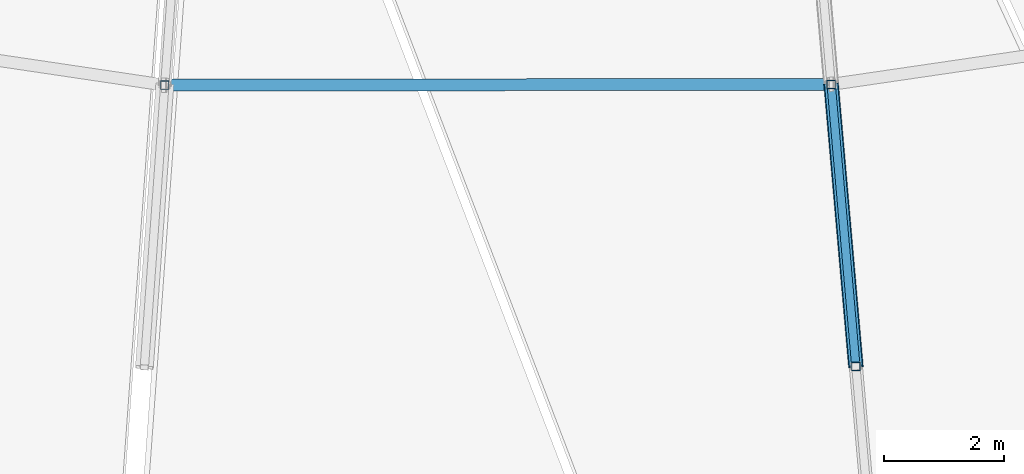
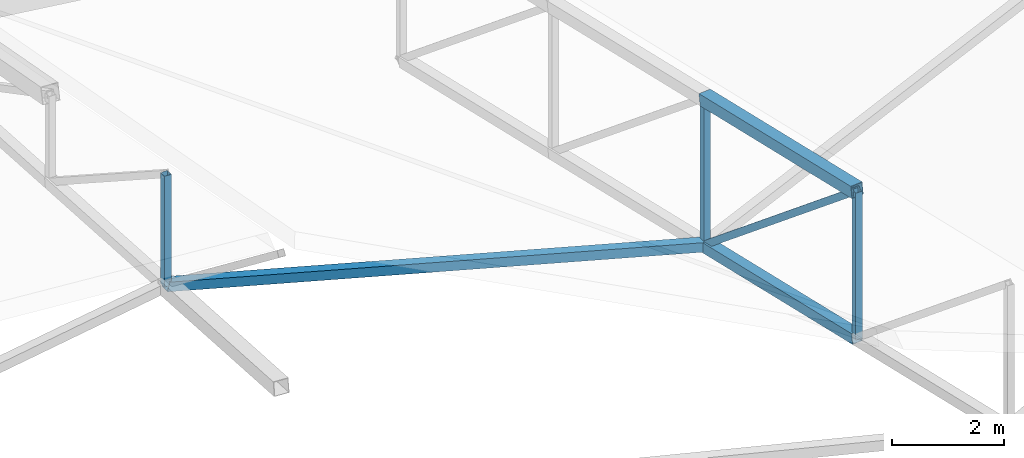
# One storey, part 39 of 344: 7 members.
"""IFC4 building model written with IfcOpenShell, lengths in metres."""

from ifc_helpers import new_model, si_unit, direction, frame, origin, origin_2d, place, context, subcontext, project, spatial, hollow_rectangle, extrude, material, material_profile, profile_set, type_object, element, save


model = new_model("IFC4")

# Units and contexts
model_context = context("Model", 3, precision=1e-05, world=origin(), true_north=direction((0.0, 1.0)))
body_context = subcontext(model_context, "Body", "Model", "MODEL_VIEW")
ifc_project = project(units=[si_unit("LENGTHUNIT", "METRE"), si_unit("AREAUNIT", "SQUARE_METRE"), si_unit("VOLUMEUNIT", "CUBIC_METRE"), si_unit("PLANEANGLEUNIT", "RADIAN"), si_unit("MASSUNIT", "GRAM", prefix="KILO")], contexts=[model_context])

# Site, building, storey
site_placement = place(None, origin())
site = spatial("IfcSite", under=ifc_project, at=site_placement, CompositionType="ELEMENT")
building_placement = place(site_placement, origin())
building = spatial("IfcBuilding", under=site, at=building_placement, Name="Meseta Stadium", CompositionType="ELEMENT")
storey_placement = place(building_placement, frame((0.0, 0.0, 24.0)))
storey = spatial("IfcBuildingStorey", under=building, at=storey_placement, Name="L04", CompositionType="ELEMENT", Elevation=24.0)

# Members
ifc_material_1 = material(Name="Steel S355", Category="steel")
ifc_material_profile_1 = material_profile(ifc_material_1, hollow_rectangle(XDim=0.139892578125, YDim=0.139892578125, WallThickness=0.0048828125, at=origin_2d()), Name="SHS 140x140x5")
ifc_profile_set_1 = profile_set([ifc_material_profile_1], Name="Steel S355")
member_type_1 = type_object("IfcMemberType", Name="SHS 140x140x5 diagonal", PredefinedType="BRACE", material=ifc_profile_set_1)
member_1_placement = place(storey_placement, frame((5.633056640625, -75.395751953125, 3.147216796875), z_axis=(0.067421115428, -0.769239022293, 0.635394145217), x_axis=(0.996181033358, 0.087311790601, 0.0)))
element("IfcMember", 1, at=member_1_placement, inside=storey, type_object=member_type_1, Name="ROOF TRUSS RT-47 diagonal", PredefinedType="BRACE", context=body_context, shape_type="SweptSolid", body=[
    extrude(hollow_rectangle(XDim=0.139892578125, YDim=0.139892578125, WallThickness=0.0048828125, at=origin_2d()), origin(), (0.0, 0.0, 1.0), 6.11962890625),
])
ifc_material_2 = material(Name="Steel S355", Category="steel")
ifc_material_profile_2 = material_profile(ifc_material_2, hollow_rectangle(XDim=0.139892578125, YDim=0.139892578125, WallThickness=0.0048828125, at=origin_2d()), Name="SHS 140x140x5")
ifc_profile_set_2 = profile_set([ifc_material_profile_2], Name="Steel S355")
member_type_2 = type_object("IfcMemberType", Name="SHS 140x140x5 post", PredefinedType="POST", material=ifc_profile_set_2)
member_2_placement = place(storey_placement, frame((-5.49169921875, -75.4072265625, 6.179443359375), z_axis=(0.0, 0.0, 1.0), x_axis=(1.0, 0.0, 0.0)))
element("IfcMember", 2, at=member_2_placement, inside=storey, type_object=member_type_2, Name="ROOF TRUSS RT-46 post", PredefinedType="POST", context=body_context, shape_type="SweptSolid", body=[
    extrude(hollow_rectangle(XDim=0.139892578125, YDim=0.139892578125, WallThickness=0.0048828125, at=origin_2d()), origin(), (0.0, 0.0, 1.0), 2.4150390625),
])
for number, where, z_axis, x_axis, name in (
    (3, (5.633056640625, -75.395751953125, 3.147216796875), (0.0, 0.0, 1.0), (1.0, 0.0, 0.0), "ROOF TRUSS RT-47 post"),
    (4, (6.045654296875, -80.103271484375, 3.835693359375), (0.0, 0.0, 1.0), (1.0, 0.0, 0.0), "ROOF TRUSS RT-47 post"),
):
    element("IfcMember", number, at=place(storey_placement, frame(where, z_axis=z_axis, x_axis=x_axis)), inside=storey, type_object=member_type_2, Name=name, PredefinedType="POST", context=body_context, shape_type="SweptSolid", body=[
        extrude(hollow_rectangle(XDim=0.139892578125, YDim=0.139892578125, WallThickness=0.0048828125, at=origin_2d()), origin(), (0.0, 0.0, 1.0), 3.199951171875),
    ])
ifc_material_3 = material(Name="Steel S355", Category="steel")
ifc_material_profile_3 = material_profile(ifc_material_3, hollow_rectangle(XDim=0.199951171875, YDim=0.199951171875, WallThickness=0.008056640625, at=origin_2d()), Name="SHS 200x200x8")
ifc_profile_set_3 = profile_set([ifc_material_profile_3], Name="Steel S355")
member_type_3 = type_object("IfcMemberType", Name="SHS 200x200x8 strut", PredefinedType="STRUT", material=ifc_profile_set_3)
member_3_placement = place(storey_placement, frame((-5.49169921875, -75.4072265625, 6.179443359375), z_axis=(0.964802910364, 0.000995144223, -0.262972154118), x_axis=(-0.001031447648, 0.999999468058, 0.0)))
element("IfcMember", 5, at=member_3_placement, inside=storey, type_object=member_type_3, Name="ROOF TRUSS STRUT RT-46/47", PredefinedType="STRUT", context=body_context, shape_type="SweptSolid", body=[
    extrude(hollow_rectangle(XDim=0.199951171875, YDim=0.199951171875, WallThickness=0.008056640625, at=origin_2d()), origin(), (0.0, 0.0, 1.0), 11.530517578125),
])
ifc_material_4 = material(Name="Steel S355", Category="steel")
ifc_material_profile_4 = material_profile(ifc_material_4, hollow_rectangle(XDim=0.219970703125, YDim=0.219970703125, WallThickness=0.008056640625, at=origin_2d()), Name="SHS 220x220x8")
ifc_profile_set_4 = profile_set([ifc_material_profile_4], Name="Steel S355")
member_type_4 = type_object("IfcMemberType", Name="SHS 220x220x8 bottom chord", PredefinedType="CHORD", material=ifc_profile_set_4)
member_4_placement = place(storey_placement, frame((5.633056640625, -75.395751953125, 3.147216796875), z_axis=(0.086399640998, -0.985773892144, 0.144169815156), x_axis=(0.996181033358, 0.087311790601, 0.0)))
element("IfcMember", 6, at=member_4_placement, inside=storey, type_object=member_type_4, Name="ROOF TRUSS RT-47 bottom chord", PredefinedType="CHORD", context=body_context, shape_type="SweptSolid", body=[
    extrude(hollow_rectangle(XDim=0.219970703125, YDim=0.219970703125, WallThickness=0.008056640625, at=origin_2d()), origin(), (0.0, 0.0, 1.0), 4.775390625),
])
ifc_material_5 = material(Name="Steel S355", Category="steel")
ifc_material_profile_5 = material_profile(ifc_material_5, hollow_rectangle(XDim=0.25, YDim=0.25, WallThickness=0.010009765625, at=origin_2d()), Name="SHS 250x250x10")
ifc_profile_set_5 = profile_set([ifc_material_profile_5], Name="Steel S355")
member_type_5 = type_object("IfcMemberType", Name="SHS 250x250x10 top chord", PredefinedType="CHORD", material=ifc_profile_set_5)
member_5_placement = place(storey_placement, frame((5.633056640625, -75.395751953125, 6.34716796875), z_axis=(0.086399640998, -0.985773892144, 0.144169815156), x_axis=(0.996181033358, 0.087311790601, 0.0)))
element("IfcMember", 7, at=member_5_placement, inside=storey, type_object=member_type_5, Name="ROOF TRUSS RT-47 top chord", PredefinedType="CHORD", context=body_context, shape_type="SweptSolid", body=[
    extrude(hollow_rectangle(XDim=0.25, YDim=0.25, WallThickness=0.010009765625, at=origin_2d()), origin(), (0.0, 0.0, 1.0), 4.775390625),
])

save(model, "model.ifc")
